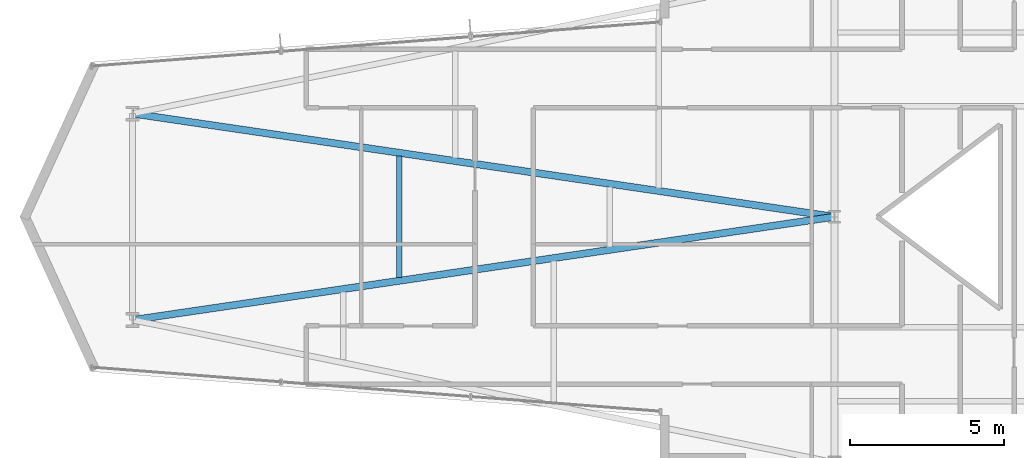
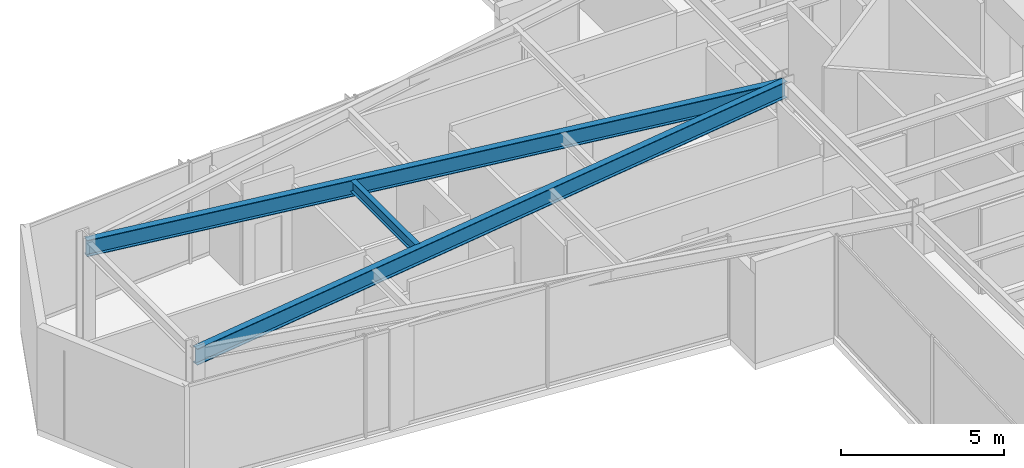
# One storey, part 7 of 30: 3 beams.
"""IFC4 building model written with IfcOpenShell, lengths in metres."""

from ifc_helpers import new_model, si_unit, direction, frame, origin, origin_2d, place, context, subcontext, project, spatial, i_section, extrude, material, material_profile, profile_set, type_object, element, save


model = new_model("IFC4")

# Units and contexts
model_context = context("Model", 3, precision=1e-05, world=origin(), true_north=direction((0.0, 1.0)))
body_context = subcontext(model_context, "Body", "Model", "MODEL_VIEW")
ifc_project = project(units=[si_unit("LENGTHUNIT", "METRE"), si_unit("AREAUNIT", "SQUARE_METRE"), si_unit("VOLUMEUNIT", "CUBIC_METRE"), si_unit("PLANEANGLEUNIT", "RADIAN"), si_unit("MASSUNIT", "GRAM", prefix="KILO")], contexts=[model_context])

# Site, building, storey
site_placement = place(None, origin())
site = spatial("IfcSite", under=ifc_project, at=site_placement, CompositionType="ELEMENT")
building_placement = place(site_placement, origin())
building = spatial("IfcBuilding", under=site, at=building_placement, Name="Veymaron Broadcast Tower", CompositionType="ELEMENT")
storey_placement = place(building_placement, frame((0.0, 0.0, 49.949951171875)))
storey = spatial("IfcBuildingStorey", under=building, at=storey_placement, Name="L10", CompositionType="ELEMENT", Elevation=49.949951171875)

# Beams
ifc_material = material(Name="Structural steel ASTM A992 Gr 50", Category="steel")
ifc_material_profile_1 = material_profile(ifc_material, i_section(OverallWidth=0.22998046875, OverallDepth=0.616943359375, WebThickness=0.01318359375, FlangeThickness=0.022216796875, at=origin_2d()), Name="W610X140")
ifc_profile_set_1 = profile_set([ifc_material_profile_1], Name="Structural steel ASTM A992 Gr 50")
beam_type_1 = type_object("IfcBeamType", Name="BM-FG1", PredefinedType="BEAM", material=ifc_profile_set_1)
for number, where, z_axis, x_axis, name in (
    (1, (8.35205078125, 20.639892578125, 3.50146484375), (0.989358374471, 0.14549916448, 0.0), (-0.14549916448, 0.989358374471, 0.0), "L10 primary structural floor girder"),
    (2, (8.35205078125, 27.360107421875, 3.50146484375), (0.989358374471, -0.14549916448, 0.0), (0.14549916448, 0.989358374471, 0.0), "L10 primary structural floor girder"),
):
    element("IfcBeam", number, at=place(storey_placement, frame(where, z_axis=z_axis, x_axis=x_axis)), inside=storey, type_object=beam_type_1, Name=name, PredefinedType="BEAM", context=body_context, shape_type="SweptSolid", body=[
        extrude(i_section(OverallWidth=0.22998046875, OverallDepth=0.616943359375, WebThickness=0.01318359375, FlangeThickness=0.022216796875, at=origin_2d()), origin(), (0.0, 0.0, 1.0), 23.09375),
    ])
ifc_material_profile_2 = material_profile(ifc_material, i_section(OverallWidth=0.177978515625, OverallDepth=0.406982421875, WebThickness=0.0078125, FlangeThickness=0.0126953125, at=origin_2d()), Name="W410X60")
ifc_profile_set_2 = profile_set([ifc_material_profile_2], Name="Structural steel ASTM A992 Gr 50")
beam_type_2 = type_object("IfcBeamType", Name="BM-JS1", PredefinedType="JOIST", material=ifc_profile_set_2)
beam_placement = place(storey_placement, frame((17.0341796875, 22.016845703125, 3.6064453125), z_axis=(0.0, 1.0, 0.0), x_axis=(-1.0, 0.0, 0.0)))
element("IfcBeam", 3, at=beam_placement, inside=storey, type_object=beam_type_2, Name="L10 Arm-A secondary joist 1M", PredefinedType="JOIST", context=body_context, shape_type="SweptSolid", body=[
    extrude(i_section(OverallWidth=0.177978515625, OverallDepth=0.406982421875, WebThickness=0.0078125, FlangeThickness=0.0126953125, at=origin_2d()), origin(), (0.0, 0.0, 1.0), 3.96630859375),
])

save(model, "model.ifc")
